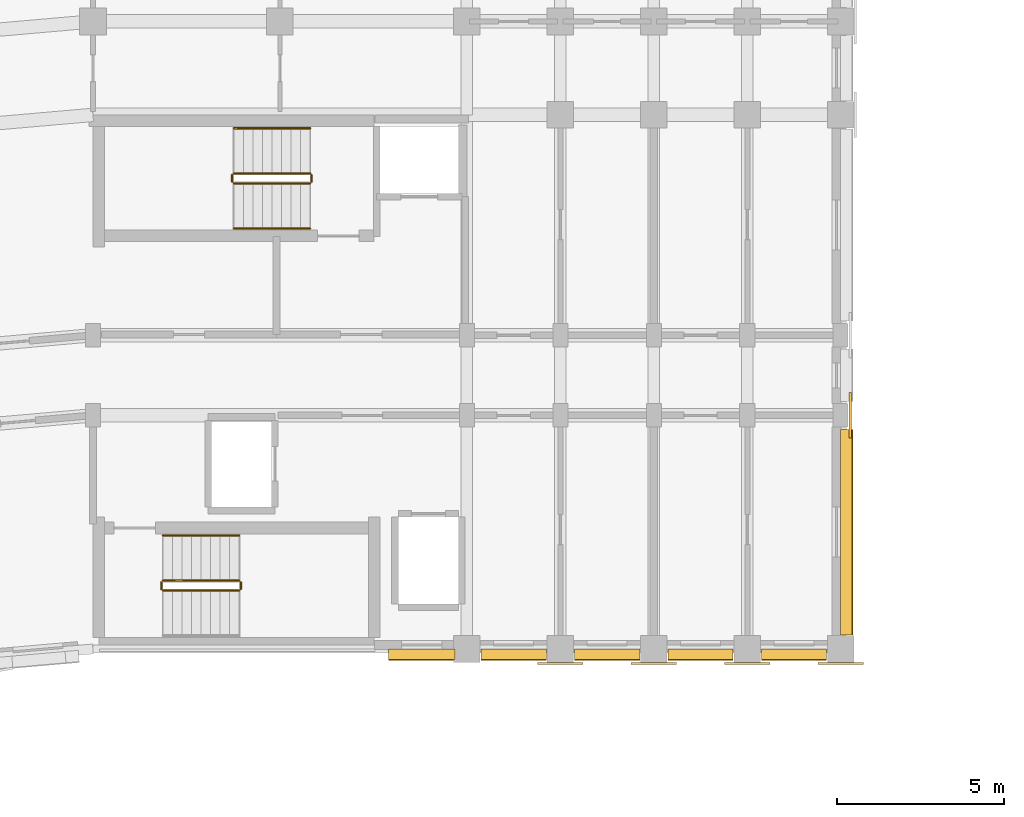
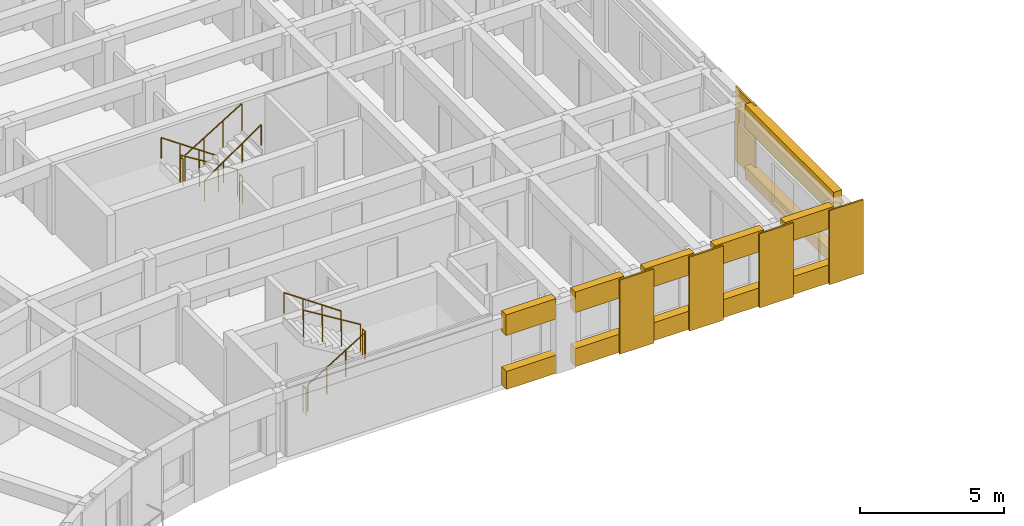
# One storey, part 47 of 54: 17 coverings, 11 railings.
"""IFC4 building model written with IfcOpenShell, lengths in metres."""

import ifcopenshell
import ifcopenshell.guid

model = None  # the IFC model being written
_history = None  # IfcOwnerHistory: only IFC2X3 demands one
_inside = {}  # id of a spatial element -> (the spatial element, [elements in it])
_under = {}  # id of a project, library or spatial element -> (it, [spatial elements below it])
_declared = {}  # id of a project -> (the project, [libraries it declares])
_typed = {}  # id of a type object -> (the type object, [elements of that type])
_made_of = {}  # id of a material, layer set ... -> (it, [elements and type objects made of it])


def new_model(schema):
    """Start an empty IFC model of exactly this schema.

    Asked for "IFC4X3", IfcOpenShell would pick the latest addendum, in which some entities
    have other attributes; the version numbers below select the first issue.
    IFC2X3 requires an IfcOwnerHistory on every rooted entity: one is made here for all.
    """
    global model, _history
    if schema == "IFC4X3":
        model = ifcopenshell.file(schema_version=(4, 3, 0, 0))
    else:
        model = ifcopenshell.file(schema=schema)
    _inside.clear()
    _under.clear()
    _declared.clear()
    _typed.clear()
    _made_of.clear()
    _history = None
    if model.schema == "IFC2X3":
        org = make("IfcOrganization", Name="unknown")
        user = make(
            "IfcPersonAndOrganization",
            ThePerson=make("IfcPerson", FamilyName="unknown"),
            TheOrganization=org,
        )
        app = make(
            "IfcApplication",
            ApplicationDeveloper=org,
            Version="unknown",
            ApplicationFullName="unknown",
            ApplicationIdentifier="unknown",
        )
        _history = make(
            "IfcOwnerHistory",
            OwningUser=user,
            OwningApplication=app,
            ChangeAction="ADDED",
            CreationDate=0,
        )
    return model


def make(cls, **values):
    """One entity of the class cls with the attributes given. An attribute that is None is left unset."""
    return model.create_entity(
        cls, **{name: value for name, value in values.items() if value is not None}
    )


def rooted(cls, **values):
    """An entity with a GlobalId (a new one), such as an element, a storey or a relation."""
    return make(cls, GlobalId=ifcopenshell.guid.new(), OwnerHistory=_history, **values)


def si_unit(unit_type, name, prefix=None):
    """IfcSIUnit, for example si_unit("LENGTHUNIT", "METRE", prefix="MILLI")."""
    return make("IfcSIUnit", UnitType=unit_type, Prefix=prefix, Name=name)


def assignment(units):
    """IfcUnitAssignment: the units of a project."""
    return None if units is None else make("IfcUnitAssignment", Units=units)


def point(xyz):
    """IfcCartesianPoint."""
    return None if xyz is None else make("IfcCartesianPoint", Coordinates=xyz)


def direction(xyz):
    """IfcDirection."""
    return None if xyz is None else make("IfcDirection", DirectionRatios=xyz)


def frame(location, z_axis=None, x_axis=None):
    """IfcAxis2Placement3D, a coordinate frame: its origin and axes. An axis left out is left unset."""
    return make(
        "IfcAxis2Placement3D",
        Location=point(location),
        Axis=direction(z_axis),
        RefDirection=direction(x_axis),
    )


def frame_2d(location, x_axis=None):
    """IfcAxis2Placement2D, a coordinate frame in the plane: its origin and x axis."""
    return make(
        "IfcAxis2Placement2D", Location=point(location), RefDirection=direction(x_axis)
    )


def origin():
    """The frame at (0, 0, 0) with its axes left unset."""
    return frame((0.0, 0.0, 0.0))


def origin_2d():
    """The frame at (0, 0) in the plane with its x axis left unset."""
    return frame_2d((0.0, 0.0))


def place(relative_to, where):
    """IfcLocalPlacement: puts the frame where relative to a parent placement (None: the world)."""
    return make(
        "IfcLocalPlacement", PlacementRelTo=relative_to, RelativePlacement=where
    )


def context(
    kind, dimensions, precision=None, world=None, true_north=None, identifier=None
):
    """IfcGeometricRepresentationContext, for example the 3D "Model" context."""
    return make(
        "IfcGeometricRepresentationContext",
        ContextIdentifier=identifier,
        ContextType=kind,
        CoordinateSpaceDimension=dimensions,
        Precision=precision,
        WorldCoordinateSystem=world,
        TrueNorth=true_north,
    )


def subcontext(parent, identifier, kind, view, scale=None):
    """IfcGeometricRepresentationSubContext, for example "Body" below "Model"."""
    return make(
        "IfcGeometricRepresentationSubContext",
        ContextIdentifier=identifier,
        ContextType=kind,
        ParentContext=parent,
        TargetScale=scale,
        TargetView=view,
    )


def project(units=None, contexts=None):
    """IfcProject with its units and contexts."""
    return rooted(
        "IfcProject",
        Name="project",
        RepresentationContexts=contexts,
        UnitsInContext=assignment(units),
    )


def spatial(cls, under=None, at=None, **own):
    """A site, building, storey or space (cls), placed at a placement, below another one or the project."""
    s = rooted(cls, ObjectPlacement=at, **own)
    if under is not None:
        _under.setdefault(under.id(), (under, []))[1].append(s)
    return s


def polyline(points):
    """IfcPolyline through the points."""
    return make("IfcPolyline", Points=[point(p) for p in points])


def profile(cls, at=None, kind="AREA", **sizes):
    """A parametric profile (cls). Its sizes go by their IFC names, for example OverallWidth=200.0."""
    return make(cls, ProfileType=kind, Position=at, **sizes)


def circle(**sizes):
    """IfcCircleProfileDef."""
    return profile("IfcCircleProfileDef", **sizes)


def outline(outer, holes=None, kind="AREA"):
    """IfcArbitraryClosedProfileDef: a profile drawn as a closed curve; with holes, ...WithVoids."""
    if holes is None:
        return make("IfcArbitraryClosedProfileDef", ProfileType=kind, OuterCurve=outer)
    return make(
        "IfcArbitraryProfileDefWithVoids",
        ProfileType=kind,
        OuterCurve=outer,
        InnerCurves=holes,
    )


def extrude(swept, where, along, depth):
    """IfcExtrudedAreaSolid: the profile swept, set in the frame where, extruded along a direction by depth."""
    return make(
        "IfcExtrudedAreaSolid",
        SweptArea=swept,
        Position=where,
        ExtrudedDirection=direction(along),
        Depth=depth,
    )


def shape(context_of_items, identifier, shape_type, items):
    """IfcShapeRepresentation: the items that make up one representation, for example the "Body"."""
    return make(
        "IfcShapeRepresentation",
        ContextOfItems=context_of_items,
        RepresentationIdentifier=identifier,
        RepresentationType=shape_type,
        Items=items,
    )


def material(Name=None, Category=None):
    """IfcMaterial."""
    return make("IfcMaterial", Name=Name, Category=Category)


def layer(
    of_material, thickness, ventilated=None, Name=None, Category=None, Priority=None
):
    """IfcMaterialLayer: one layer of a wall or slab, of a material (None: an air gap)."""
    return make(
        "IfcMaterialLayer",
        Material=of_material,
        LayerThickness=thickness,
        IsVentilated=ventilated,
        Name=Name,
        Category=Category,
        Priority=Priority,
    )


def layer_set(layers, Name=None):
    """IfcMaterialLayerSet."""
    return make("IfcMaterialLayerSet", MaterialLayers=layers, LayerSetName=Name)


def made_of(thing, what):
    """Note that an element or type object is made of a material, layer set ...; save() writes the relation."""
    if what is not None:
        _made_of.setdefault(what.id(), (what, []))[1].append(thing)
    return thing


def type_object(cls, material=None, **own):
    """A type object (cls), such as IfcWallType, which elements share."""
    return made_of(rooted(cls, **own), material)


def element(
    cls,
    number,
    at=None,
    inside=None,
    cuts=None,
    type_object=None,
    material=None,
    context=None,
    identifier="Body",
    shape_type=None,
    held_by="IfcProductDefinitionShape",
    body=None,
    shapes=None,
    **own,
):
    """One element of the class cls, such as IfcWall. Its Tag is "e" and its number.

    at: its placement. inside: the storey or other place that contains it. cuts: it is an
    opening in that element (IfcRelVoidsElement). A single representation is given by context,
    identifier, shape_type and body (its items); several are given by shapes. held_by: the class
    of the entity that holds the representations. save() writes the other relations.
    """
    e = rooted(cls, Tag="e%d" % number, ObjectPlacement=at, **own)
    if body is not None:
        shapes = [shape(context, identifier, shape_type, body)]
    if shapes is not None:
        e.Representation = make(held_by, Representations=shapes)
    if inside is not None:
        _inside.setdefault(inside.id(), (inside, []))[1].append(e)
    if cuts is not None:
        rooted(
            "IfcRelVoidsElement", RelatingBuildingElement=cuts, RelatedOpeningElement=e
        )
    if type_object is not None:
        _typed.setdefault(type_object.id(), (type_object, []))[1].append(e)
    return made_of(e, material)


def aggregate(whole, parts):
    """IfcRelAggregates: a whole, such as a stair, and the parts it consists of."""
    return rooted("IfcRelAggregates", RelatingObject=whole, RelatedObjects=parts)


def save(model, path):
    """Write the relations noted so far, then the file.

    IfcRelAggregates (storeys below a building ...), IfcRelContainedInSpatialStructure (elements
    in a storey), IfcRelDefinesByType, IfcRelAssociatesMaterial and IfcRelDeclares: one each for
    every whole, place, type object, material and project.
    """
    for whole, parts in _under.values():
        aggregate(whole, parts)
    for where, things in _inside.values():
        rooted(
            "IfcRelContainedInSpatialStructure",
            RelatedElements=things,
            RelatingStructure=where,
        )
    for kind, things in _typed.values():
        rooted("IfcRelDefinesByType", RelatedObjects=things, RelatingType=kind)
    for what, things in _made_of.values():
        rooted("IfcRelAssociatesMaterial", RelatedObjects=things, RelatingMaterial=what)
    for by, libraries in _declared.values():
        rooted("IfcRelDeclares", RelatingContext=by, RelatedDefinitions=libraries)
    model.write(path)


model = new_model("IFC4")

# Units and contexts
model_context = context("Model", 3, precision=1e-05, world=origin(), true_north=direction((0.0, 1.0)))
body_context = subcontext(model_context, "Body", "Model", "MODEL_VIEW")
ifc_project = project(units=[si_unit("LENGTHUNIT", "METRE"), si_unit("AREAUNIT", "SQUARE_METRE"), si_unit("VOLUMEUNIT", "CUBIC_METRE"), si_unit("PLANEANGLEUNIT", "RADIAN"), si_unit("MASSUNIT", "GRAM", prefix="KILO")], contexts=[model_context])

# Site, building, storey
site_placement = place(None, origin())
site = spatial("IfcSite", under=ifc_project, at=site_placement, CompositionType="ELEMENT")
building_placement = place(site_placement, origin())
building = spatial("IfcBuilding", under=site, at=building_placement, Name="Kiranvali Square Residences", CompositionType="ELEMENT")
storey_placement = place(building_placement, frame((0.0, 0.0, 15.0)))
storey = spatial("IfcBuildingStorey", under=building, at=storey_placement, Name="L04", CompositionType="ELEMENT", Elevation=15.0)

# Coverings
ifc_material_1 = material(Name="Honed Porbandar limestone ashlar facade cladding", Category="masonry")
ifc_layer_1 = layer(ifc_material_1, 0.050048828125)
ifc_layer_set_1 = layer_set([ifc_layer_1], Name="Honed Porbandar limestone ashlar facade cladding")
covering_type_1 = type_object("IfcCoveringType", Name="COV-CLAD-PIER-IN", PredefinedType="CLADDING", material=ifc_layer_set_1)
covering_1_placement = place(storey_placement, frame((0.0, 0.0, 0.0048828125)))
element("IfcCovering", 1, at=covering_1_placement, inside=storey, type_object=covering_type_1, Name="L04 Classical limestone pilaster casing CLAD-PRA1I-A-L04-U140", PredefinedType="CLADDING", context=body_context, shape_type="SweptSolid", body=[
    extrude(outline(polyline([(61.52001953125, 106.132080078125), (62.8798828125, 106.132080078125), (62.8798828125, 106.199462890625), (61.52001953125, 106.199462890625), (61.52001953125, 106.132080078125)])), origin(), (0.0, 0.0, 1.0), 3.14013671875),
])
covering_2_placement = place(storey_placement, frame((0.0, 0.0, 0.0048828125)))
element("IfcCovering", 2, at=covering_2_placement, inside=storey, type_object=covering_type_1, Name="L04 Classical limestone pilaster casing CLAD-PRA1I-A-L04-U167", PredefinedType="CLADDING", context=body_context, shape_type="SweptSolid", body=[
    extrude(outline(polyline([(64.320068359375, 106.132080078125), (65.679931640625, 106.132080078125), (65.679931640625, 106.199462890625), (64.320068359375, 106.199462890625), (64.320068359375, 106.132080078125)])), origin(), (0.0, 0.0, 1.0), 3.14013671875),
])
covering_3_placement = place(storey_placement, frame((0.0, 0.0, 0.0048828125)))
element("IfcCovering", 3, at=covering_3_placement, inside=storey, type_object=covering_type_1, Name="L04 Classical limestone pilaster casing CLAD-PRA1I-A-L04-U195", PredefinedType="CLADDING", context=body_context, shape_type="SweptSolid", body=[
    extrude(outline(polyline([(67.1201171875, 106.132080078125), (68.47998046875, 106.132080078125), (68.47998046875, 106.199462890625), (67.1201171875, 106.199462890625), (67.1201171875, 106.132080078125)])), origin(), (0.0, 0.0, 1.0), 3.14013671875),
])
covering_4_placement = place(storey_placement, frame((0.0, 0.0, 0.0048828125)))
element("IfcCovering", 4, at=covering_4_placement, inside=storey, type_object=covering_type_1, Name="L04 Classical limestone pilaster casing CLAD-PRA1I-A-L04-U224", PredefinedType="CLADDING", context=body_context, shape_type="SweptSolid", body=[
    extrude(outline(polyline([(69.919921875, 106.132080078125), (71.280029296875, 106.132080078125), (71.280029296875, 106.199462890625), (69.919921875, 106.199462890625), (69.919921875, 106.132080078125)])), origin(), (0.0, 0.0, 1.0), 3.14013671875),
])
ifc_layer_2 = layer(ifc_material_1, 0.054931640625)
ifc_layer_set_2 = layer_set([ifc_layer_2], Name="Honed Porbandar limestone ashlar facade cladding")
covering_type_2 = type_object("IfcCoveringType", Name="COV-CLAD-PIER-UP", PredefinedType="CLADDING", material=ifc_layer_set_2)
covering_5_placement = place(storey_placement, frame((0.0, 0.0, 0.0048828125)))
element("IfcCovering", 5, at=covering_5_placement, inside=storey, type_object=covering_type_2, Name="L04 Classical limestone pilaster casing CLAD-PRA1E-A-L04-R258", PredefinedType="CLADDING", context=body_context, shape_type="SweptSolid", body=[
    extrude(outline(polyline([(70.91796875, 112.919921875), (70.91796875, 114.280029296875), (70.8505859375, 114.280029296875), (70.8505859375, 112.919921875), (70.91796875, 112.919921875)])), origin(), (0.0, 0.0, 1.0), 3.14013671875),
])
ifc_layer_3 = layer(ifc_material_1, 0.360107421875)
ifc_layer_set_3 = layer_set([ifc_layer_3], Name="Honed Porbandar limestone ashlar facade cladding")
covering_type_3 = type_object("IfcCoveringType", Name="COV-CLAD-WALL", PredefinedType="CLADDING", material=ifc_layer_set_3)
covering_6_placement = place(storey_placement, frame((0.0, 0.0, 2.27197265625)))
element("IfcCovering", 6, at=covering_6_placement, inside=storey, type_object=covering_type_3, Name="L04 light limestone spandrel lintel A-L04-A1IN-0", PredefinedType="CLADDING", context=body_context, shape_type="SweptSolid", body=[
    extrude(outline(polyline([(57.050048828125, 106.280029296875), (59.050048828125, 106.280029296875), (59.050048828125, 106.599609375), (57.050048828125, 106.599609375), (57.050048828125, 106.280029296875)])), origin(), (0.0, 0.0, 1.0), 0.873046875),
])
covering_7_placement = place(storey_placement, frame((0.0, 0.0, 0.0048828125)))
element("IfcCovering", 7, at=covering_7_placement, inside=storey, type_object=covering_type_3, Name="L04 limestone window sill apron A-L04-A1IN-0", PredefinedType="CLADDING", context=body_context, shape_type="SweptSolid", body=[
    extrude(outline(polyline([(57.050048828125, 106.25), (59.050048828125, 106.25), (59.050048828125, 106.599609375), (57.050048828125, 106.599609375), (57.050048828125, 106.25)])), origin(), (0.0, 0.0, 1.0), 0.76708984375),
])
covering_8_placement = place(storey_placement, frame((0.0, 0.0, 2.27197265625)))
element("IfcCovering", 8, at=covering_8_placement, inside=storey, type_object=covering_type_3, Name="L04 light limestone spandrel lintel A-L04-A1I-0", PredefinedType="CLADDING", context=body_context, shape_type="SweptSolid", body=[
    extrude(outline(polyline([(59.820068359375, 106.280029296875), (61.780029296875, 106.280029296875), (61.780029296875, 106.599609375), (59.820068359375, 106.599609375), (59.820068359375, 106.280029296875)])), origin(), (0.0, 0.0, 1.0), 0.873046875),
])
covering_9_placement = place(storey_placement, frame((0.0, 0.0, 0.0048828125)))
element("IfcCovering", 9, at=covering_9_placement, inside=storey, type_object=covering_type_3, Name="L04 limestone window sill apron A-L04-A1I-0", PredefinedType="CLADDING", context=body_context, shape_type="SweptSolid", body=[
    extrude(outline(polyline([(59.820068359375, 106.25), (61.780029296875, 106.25), (61.780029296875, 106.599609375), (59.820068359375, 106.599609375), (59.820068359375, 106.25)])), origin(), (0.0, 0.0, 1.0), 0.76708984375),
])
covering_10_placement = place(storey_placement, frame((0.0, 0.0, 2.27197265625)))
element("IfcCovering", 10, at=covering_10_placement, inside=storey, type_object=covering_type_3, Name="L04 light limestone spandrel lintel A-L04-A1I-1", PredefinedType="CLADDING", context=body_context, shape_type="SweptSolid", body=[
    extrude(outline(polyline([(62.6201171875, 106.280029296875), (64.580078125, 106.280029296875), (64.580078125, 106.599609375), (62.6201171875, 106.599609375), (62.6201171875, 106.280029296875)])), origin(), (0.0, 0.0, 1.0), 0.873046875),
])
covering_11_placement = place(storey_placement, frame((0.0, 0.0, 0.0048828125)))
element("IfcCovering", 11, at=covering_11_placement, inside=storey, type_object=covering_type_3, Name="L04 limestone window sill apron A-L04-A1I-1", PredefinedType="CLADDING", context=body_context, shape_type="SweptSolid", body=[
    extrude(outline(polyline([(62.6201171875, 106.25), (64.580078125, 106.25), (64.580078125, 106.599609375), (62.6201171875, 106.599609375), (62.6201171875, 106.25)])), origin(), (0.0, 0.0, 1.0), 0.76708984375),
])
covering_12_placement = place(storey_placement, frame((0.0, 0.0, 2.27197265625)))
element("IfcCovering", 12, at=covering_12_placement, inside=storey, type_object=covering_type_3, Name="L04 light limestone spandrel lintel A-L04-A1I-2", PredefinedType="CLADDING", context=body_context, shape_type="SweptSolid", body=[
    extrude(outline(polyline([(65.419921875, 106.280029296875), (67.3798828125, 106.280029296875), (67.3798828125, 106.599609375), (65.419921875, 106.599609375), (65.419921875, 106.280029296875)])), origin(), (0.0, 0.0, 1.0), 0.873046875),
])
covering_13_placement = place(storey_placement, frame((0.0, 0.0, 0.0048828125)))
element("IfcCovering", 13, at=covering_13_placement, inside=storey, type_object=covering_type_3, Name="L04 limestone window sill apron A-L04-A1I-2", PredefinedType="CLADDING", context=body_context, shape_type="SweptSolid", body=[
    extrude(outline(polyline([(65.419921875, 106.25), (67.3798828125, 106.25), (67.3798828125, 106.599609375), (65.419921875, 106.599609375), (65.419921875, 106.25)])), origin(), (0.0, 0.0, 1.0), 0.76708984375),
])
covering_14_placement = place(storey_placement, frame((0.0, 0.0, 2.27197265625)))
element("IfcCovering", 14, at=covering_14_placement, inside=storey, type_object=covering_type_3, Name="L04 light limestone spandrel lintel A-L04-A1I-3", PredefinedType="CLADDING", context=body_context, shape_type="SweptSolid", body=[
    extrude(outline(polyline([(68.219970703125, 106.280029296875), (70.179931640625, 106.280029296875), (70.179931640625, 106.599609375), (68.219970703125, 106.599609375), (68.219970703125, 106.280029296875)])), origin(), (0.0, 0.0, 1.0), 0.873046875),
])
covering_15_placement = place(storey_placement, frame((0.0, 0.0, 0.0048828125)))
element("IfcCovering", 15, at=covering_15_placement, inside=storey, type_object=covering_type_3, Name="L04 limestone window sill apron A-L04-A1I-3", PredefinedType="CLADDING", context=body_context, shape_type="SweptSolid", body=[
    extrude(outline(polyline([(68.219970703125, 106.25), (70.179931640625, 106.25), (70.179931640625, 106.599609375), (68.219970703125, 106.599609375), (68.219970703125, 106.25)])), origin(), (0.0, 0.0, 1.0), 0.76708984375),
])
covering_16_placement = place(storey_placement, frame((0.0, 0.0, 2.172119140625)))
element("IfcCovering", 16, at=covering_16_placement, inside=storey, type_object=covering_type_3, Name="L04 light limestone spandrel lintel A-L04-A1END-0", PredefinedType="CLADDING", context=body_context, shape_type="SweptSolid", body=[
    extrude(outline(polyline([(70.93994140625, 107.02001953125), (70.93994140625, 113.179931640625), (70.6005859375, 113.179931640625), (70.6005859375, 107.02001953125), (70.93994140625, 107.02001953125)])), origin(), (0.0, 0.0, 1.0), 0.972900390625),
])
covering_17_placement = place(storey_placement, frame((0.0, 0.0, 0.0048828125)))
element("IfcCovering", 17, at=covering_17_placement, inside=storey, type_object=covering_type_3, Name="L04 limestone window sill apron A-L04-A1END-0", PredefinedType="CLADDING", context=body_context, shape_type="SweptSolid", body=[
    extrude(outline(polyline([(70.969970703125, 107.02001953125), (70.969970703125, 113.179931640625), (70.6005859375, 113.179931640625), (70.6005859375, 107.02001953125), (70.969970703125, 107.02001953125)])), origin(), (0.0, 0.0, 1.0), 0.51708984375),
])

# Railings
ifc_material_2 = material(Name="Brushed stainless steel tubular handrail", Category="steel")
railing_type_1 = type_object("IfcRailingType", Name="RL-HANDRAIL-900", PredefinedType="HANDRAIL", material=ifc_material_2)
railing_1_placement = place(storey_placement, frame((54.699951171875, 122.199951171875, 0.175048828125)))
element("IfcRailing", 18, at=railing_1_placement, inside=storey, type_object=railing_type_1, Name="L04 ST-A1 stair handrail 1", PredefinedType="HANDRAIL", context=body_context, shape_type="SweptSolid", body=[
    extrude(circle(Radius=0.02392578125, at=origin_2d()), frame((0.0, 0.0, 0.8759765625), z_axis=(-0.82278801735, 0.0, 0.568348377763), x_axis=(0.0, -1.0, 0.0)), (0.0, 0.0, 1.0), 2.77099609375),
    extrude(circle(Radius=0.02099609375, at=origin_2d()), origin(), (0.0, 0.0, 1.0), 0.851806640625),
    extrude(circle(Radius=0.02099609375, at=origin_2d()), frame((-0.760009765625, 0.0, 0.52490234375)), (0.0, 0.0, 1.0), 0.851806640625),
    extrude(circle(Radius=0.02099609375, at=origin_2d()), frame((-1.52001953125, 0.0, 1.050048828125)), (0.0, 0.0, 1.0), 0.851806640625),
    extrude(circle(Radius=0.02099609375, at=origin_2d()), frame((-2.280029296875, 0.0, 1.574951171875)), (0.0, 0.0, 1.0), 0.851806640625),
])
railing_2_placement = place(storey_placement, frame((52.419921875, 119.199951171875, 1.75)))
element("IfcRailing", 19, at=railing_2_placement, inside=storey, type_object=railing_type_1, Name="L04 ST-A1 stair handrail 2", PredefinedType="HANDRAIL", context=body_context, shape_type="SweptSolid", body=[
    extrude(circle(Radius=0.02392578125, at=origin_2d()), frame((0.0, 0.0, 0.8759765625), z_axis=(0.82278801735, 0.0, 0.568348377763), x_axis=(0.0, 1.0, 0.0)), (0.0, 0.0, 1.0), 2.77099609375),
    extrude(circle(Radius=0.02099609375, at=origin_2d()), origin(), (0.0, 0.0, 1.0), 0.851806640625),
    extrude(circle(Radius=0.02099609375, at=origin_2d()), frame((0.760009765625, 0.0, 0.52490234375)), (0.0, 0.0, 1.0), 0.851806640625),
    extrude(circle(Radius=0.02099609375, at=origin_2d()), frame((1.52001953125, 0.0, 1.050048828125)), (0.0, 0.0, 1.0), 0.851806640625),
    extrude(circle(Radius=0.02099609375, at=origin_2d()), frame((2.280029296875, 0.0, 1.574951171875)), (0.0, 0.0, 1.0), 0.851806640625),
])
railing_3_placement = place(storey_placement, frame((52.580078125, 110.0, 1.75)))
element("IfcRailing", 20, at=railing_3_placement, inside=storey, type_object=railing_type_1, Name="L04 ST-A2 stair handrail 2", PredefinedType="HANDRAIL", context=body_context, shape_type="SweptSolid", body=[
    extrude(circle(Radius=0.02392578125, at=origin_2d()), frame((0.0, 0.0, 0.8759765625), z_axis=(-0.82278801735, 0.0, 0.568348377763), x_axis=(0.0, -1.0, 0.0)), (0.0, 0.0, 1.0), 2.77099609375),
    extrude(circle(Radius=0.02099609375, at=origin_2d()), origin(), (0.0, 0.0, 1.0), 0.851806640625),
    extrude(circle(Radius=0.02099609375, at=origin_2d()), frame((-0.760009765625, 0.0, 0.52490234375)), (0.0, 0.0, 1.0), 0.851806640625),
    extrude(circle(Radius=0.02099609375, at=origin_2d()), frame((-1.52001953125, 0.0, 1.050048828125)), (0.0, 0.0, 1.0), 0.851806640625),
    extrude(circle(Radius=0.02099609375, at=origin_2d()), frame((-2.280029296875, 0.0, 1.574951171875)), (0.0, 0.0, 1.0), 0.851806640625),
])
ifc_material_3 = material(Name="Powder-coated architectural bronze balustrade", Category="steel")
railing_type_2 = type_object("IfcRailingType", Name="RL-ST-GUARD-1200", PredefinedType="GUARDRAIL", material=ifc_material_3)
railing_4_placement = place(storey_placement, frame((54.699951171875, 120.85009765625, 0.175048828125)))
element("IfcRailing", 21, at=railing_4_placement, inside=storey, type_object=railing_type_2, Name="L04 ST-A1 stair guard 1", PredefinedType="GUARDRAIL", context=body_context, shape_type="SweptSolid", body=[
    extrude(circle(Radius=0.02392578125, at=origin_2d()), frame((0.0, 0.0, 1.1259765625), z_axis=(-0.852190499154, 0.0, 0.523231643875), x_axis=(0.0, -1.0, 0.0)), (0.0, 0.0, 1.0), 2.675537109375),
    extrude(circle(Radius=0.02099609375, at=origin_2d()), origin(), (0.0, 0.0, 1.0), 1.101806640625),
    extrude(circle(Radius=0.02099609375, at=origin_2d()), frame((-0.760009765625, 0.0, 0.466552734375)), (0.0, 0.0, 1.0), 1.101806640625),
    extrude(circle(Radius=0.02099609375, at=origin_2d()), frame((-1.52001953125, 0.0, 0.933349609375)), (0.0, 0.0, 1.0), 1.101806640625),
    extrude(circle(Radius=0.02099609375, at=origin_2d()), frame((-2.280029296875, 0.0, 1.39990234375)), (0.0, 0.0, 1.0), 1.101806640625),
])
railing_5_placement = place(storey_placement, frame((52.3701171875, 120.800048828125, 1.574951171875)))
element("IfcRailing", 22, at=railing_5_placement, inside=storey, type_object=railing_type_2, Name="L04 ST-A1 stair guard 2", PredefinedType="GUARDRAIL", context=body_context, shape_type="SweptSolid", body=[
    extrude(circle(Radius=0.02392578125, at=origin_2d()), frame((0.0, 0.0, 1.1259765625), z_axis=(0.0, -1.0, 0.0), x_axis=(1.0, 0.0, 0.0)), (0.0, 0.0, 1.0), 0.199951171875),
    extrude(circle(Radius=0.02099609375, at=origin_2d()), origin(), (0.0, 0.0, 1.0), 1.101806640625),
    extrude(circle(Radius=0.02099609375, at=origin_2d()), frame((0.0, -0.199951171875, 0.0)), (0.0, 0.0, 1.0), 1.101806640625),
])
railing_6_placement = place(storey_placement, frame((52.419921875, 120.550048828125, 1.75)))
element("IfcRailing", 23, at=railing_6_placement, inside=storey, type_object=railing_type_2, Name="L04 ST-A1 stair guard 3", PredefinedType="GUARDRAIL", context=body_context, shape_type="SweptSolid", body=[
    extrude(circle(Radius=0.02392578125, at=origin_2d()), frame((0.0, 0.0, 1.1259765625), z_axis=(0.852190499154, 0.0, 0.523231643875), x_axis=(0.0, 1.0, 0.0)), (0.0, 0.0, 1.0), 2.675537109375),
    extrude(circle(Radius=0.02099609375, at=origin_2d()), origin(), (0.0, 0.0, 1.0), 1.101806640625),
    extrude(circle(Radius=0.02099609375, at=origin_2d()), frame((0.760009765625, 0.0, 0.466552734375)), (0.0, 0.0, 1.0), 1.101806640625),
    extrude(circle(Radius=0.02099609375, at=origin_2d()), frame((1.52001953125, 0.0, 0.933349609375)), (0.0, 0.0, 1.0), 1.101806640625),
    extrude(circle(Radius=0.02099609375, at=origin_2d()), frame((2.280029296875, 0.0, 1.39990234375)), (0.0, 0.0, 1.0), 1.101806640625),
])
railing_7_placement = place(storey_placement, frame((54.75, 120.800048828125, 0.0)))
element("IfcRailing", 24, at=railing_7_placement, inside=storey, type_object=railing_type_2, Name="L04 ST-A1 stair guard 4", PredefinedType="GUARDRAIL", context=body_context, shape_type="SweptSolid", body=[
    extrude(circle(Radius=0.02392578125, at=origin_2d()), frame((0.0, 0.0, 1.1259765625), z_axis=(0.0, -1.0, 0.0), x_axis=(1.0, 0.0, 0.0)), (0.0, 0.0, 1.0), 0.199951171875),
    extrude(circle(Radius=0.02099609375, at=origin_2d()), origin(), (0.0, 0.0, 1.0), 1.101806640625),
    extrude(circle(Radius=0.02099609375, at=origin_2d()), frame((0.0, -0.199951171875, 0.0)), (0.0, 0.0, 1.0), 1.101806640625),
])
railing_8_placement = place(storey_placement, frame((50.300048828125, 108.35009765625, 0.175048828125)))
element("IfcRailing", 25, at=railing_8_placement, inside=storey, type_object=railing_type_2, Name="L04 ST-A2 stair guard 1", PredefinedType="GUARDRAIL", context=body_context, shape_type="SweptSolid", body=[
    extrude(circle(Radius=0.02392578125, at=origin_2d()), frame((0.0, 0.0, 1.1259765625), z_axis=(0.852190499154, 0.0, 0.523231643875), x_axis=(0.0, 1.0, 0.0)), (0.0, 0.0, 1.0), 2.675537109375),
    extrude(circle(Radius=0.02099609375, at=origin_2d()), origin(), (0.0, 0.0, 1.0), 1.101806640625),
    extrude(circle(Radius=0.02099609375, at=origin_2d()), frame((0.760009765625, 0.0, 0.466552734375)), (0.0, 0.0, 1.0), 1.101806640625),
    extrude(circle(Radius=0.02099609375, at=origin_2d()), frame((1.52001953125, 0.0, 0.933349609375)), (0.0, 0.0, 1.0), 1.101806640625),
    extrude(circle(Radius=0.02099609375, at=origin_2d()), frame((2.280029296875, 0.0, 1.39990234375)), (0.0, 0.0, 1.0), 1.101806640625),
])
railing_9_placement = place(storey_placement, frame((52.6298828125, 108.39990234375, 1.574951171875)))
element("IfcRailing", 26, at=railing_9_placement, inside=storey, type_object=railing_type_2, Name="L04 ST-A2 stair guard 2", PredefinedType="GUARDRAIL", context=body_context, shape_type="SweptSolid", body=[
    extrude(circle(Radius=0.02392578125, at=origin_2d()), frame((0.0, 0.0, 1.1259765625), z_axis=(0.0, 1.0, 0.0), x_axis=(-1.0, 0.0, 0.0)), (0.0, 0.0, 1.0), 0.2001953125),
    extrude(circle(Radius=0.02099609375, at=origin_2d()), origin(), (0.0, 0.0, 1.0), 1.101806640625),
    extrude(circle(Radius=0.02099609375, at=origin_2d()), frame((0.0, 0.2001953125, 0.0)), (0.0, 0.0, 1.0), 1.101806640625),
])
railing_10_placement = place(storey_placement, frame((52.580078125, 108.64990234375, 1.75)))
element("IfcRailing", 27, at=railing_10_placement, inside=storey, type_object=railing_type_2, Name="L04 ST-A2 stair guard 3", PredefinedType="GUARDRAIL", context=body_context, shape_type="SweptSolid", body=[
    extrude(circle(Radius=0.02392578125, at=origin_2d()), frame((0.0, 0.0, 1.1259765625), z_axis=(-0.852190499154, 0.0, 0.523231643875), x_axis=(0.0, -1.0, 0.0)), (0.0, 0.0, 1.0), 2.675537109375),
    extrude(circle(Radius=0.02099609375, at=origin_2d()), origin(), (0.0, 0.0, 1.0), 1.101806640625),
    extrude(circle(Radius=0.02099609375, at=origin_2d()), frame((-0.760009765625, 0.0, 0.466552734375)), (0.0, 0.0, 1.0), 1.101806640625),
    extrude(circle(Radius=0.02099609375, at=origin_2d()), frame((-1.52001953125, 0.0, 0.933349609375)), (0.0, 0.0, 1.0), 1.101806640625),
    extrude(circle(Radius=0.02099609375, at=origin_2d()), frame((-2.280029296875, 0.0, 1.39990234375)), (0.0, 0.0, 1.0), 1.101806640625),
])
railing_11_placement = place(storey_placement, frame((50.25, 108.39990234375, 0.0)))
element("IfcRailing", 28, at=railing_11_placement, inside=storey, type_object=railing_type_2, Name="L04 ST-A2 stair guard 4", PredefinedType="GUARDRAIL", context=body_context, shape_type="SweptSolid", body=[
    extrude(circle(Radius=0.02392578125, at=origin_2d()), frame((0.0, 0.0, 1.1259765625), z_axis=(0.0, 1.0, 0.0), x_axis=(-1.0, 0.0, 0.0)), (0.0, 0.0, 1.0), 0.2001953125),
    extrude(circle(Radius=0.02099609375, at=origin_2d()), origin(), (0.0, 0.0, 1.0), 1.101806640625),
    extrude(circle(Radius=0.02099609375, at=origin_2d()), frame((0.0, 0.2001953125, 0.0)), (0.0, 0.0, 1.0), 1.101806640625),
])

save(model, "model.ifc")
